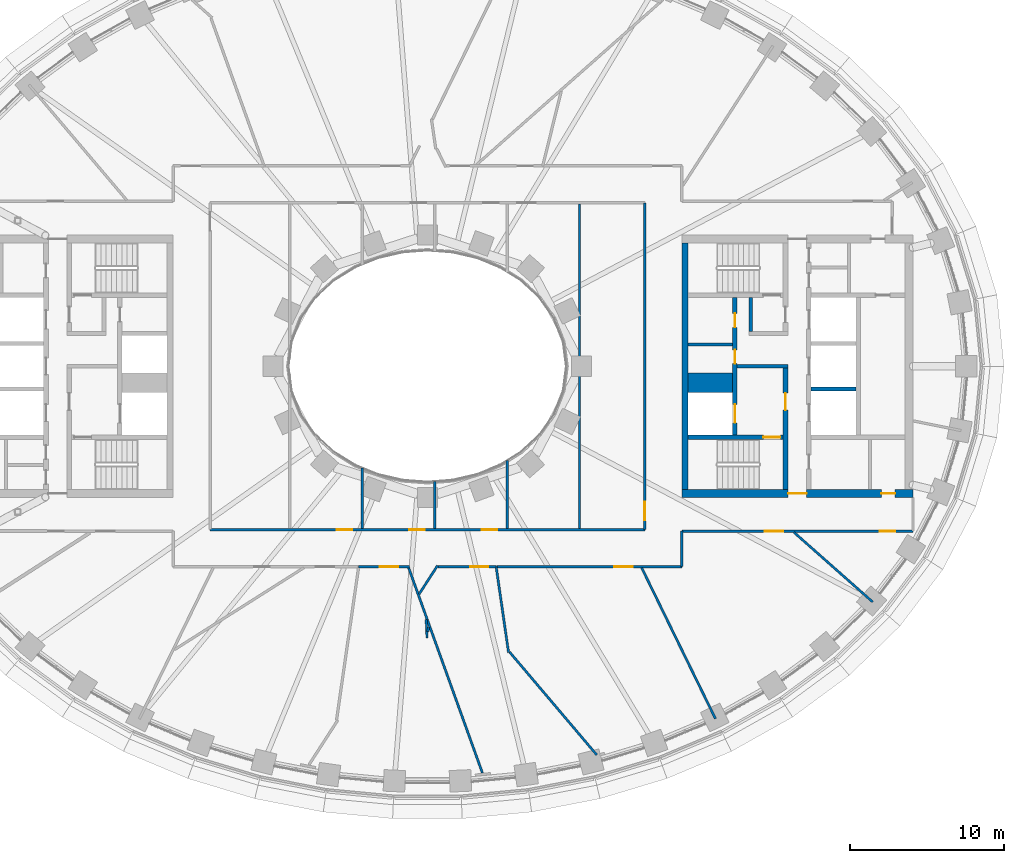
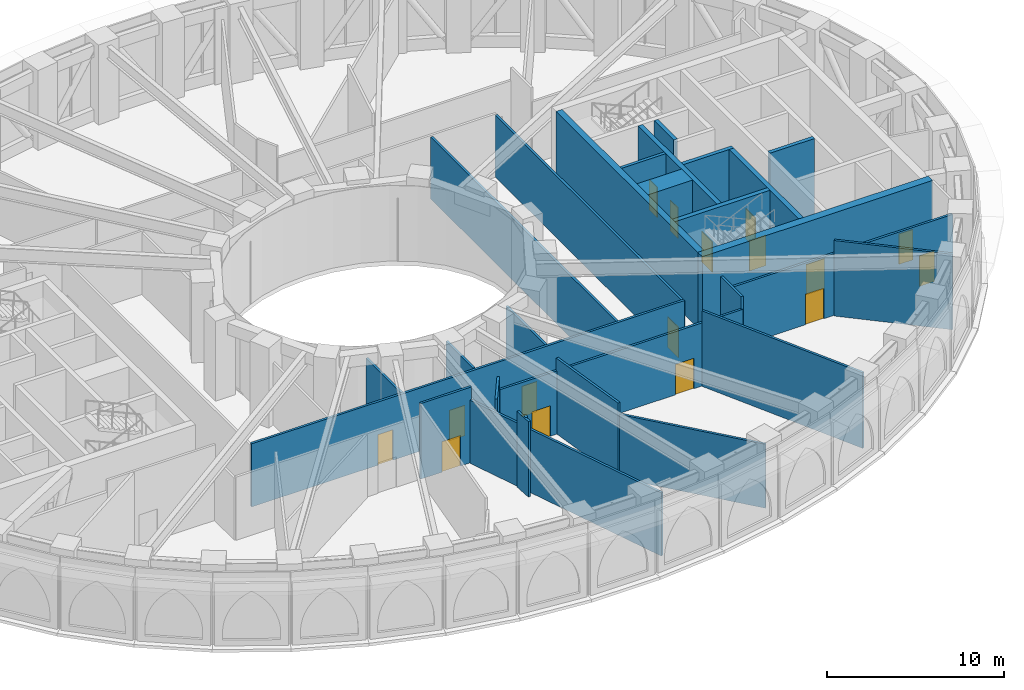
# One storey, part 7 of 25: 29 walls, 16 doors, 16 openings.
"""IFC4 building model written with IfcOpenShell, lengths in metres."""

from ifc_helpers import new_model, si_unit, direction, frame, frame_2d, origin, place, context, subcontext, project, spatial, rectangle, extrude, material, layer, layer_set, type_object, element, fill, save


model = new_model("IFC4")

# Units and contexts
model_context = context("Model", 3, precision=1e-05, world=origin(), true_north=direction((0.0, 1.0)))
body_context = subcontext(model_context, "Body", "Model", "MODEL_VIEW")
ifc_project = project(units=[si_unit("LENGTHUNIT", "METRE"), si_unit("AREAUNIT", "SQUARE_METRE"), si_unit("VOLUMEUNIT", "CUBIC_METRE"), si_unit("PLANEANGLEUNIT", "RADIAN"), si_unit("MASSUNIT", "GRAM", prefix="KILO")], contexts=[model_context])

# Site, building, storey
site_placement = place(None, origin())
site = spatial("IfcSite", under=ifc_project, at=site_placement, CompositionType="ELEMENT")
building_placement = place(site_placement, origin())
building = spatial("IfcBuilding", under=site, at=building_placement, Name="Noorbagh Ring Tower", CompositionType="ELEMENT")
storey_placement = place(building_placement, frame((0.0, 0.0, 82.5)))
storey = spatial("IfcBuildingStorey", under=building, at=storey_placement, Name="L18", CompositionType="ELEMENT", Elevation=82.5)

# Wall, openings, doors
ifc_material_1 = material(Name="Gypsum board on steel studs", Category="steel")
ifc_layer_1 = layer(ifc_material_1, 0.14990234375)
ifc_layer_set_1 = layer_set([ifc_layer_1], Name="Gypsum board on steel studs")
wall_type_1 = type_object("IfcWallType", Name="COMPARTMENT PARTITION 150 EI 60", PredefinedType="PARTITIONING", material=ifc_layer_set_1)
wall_1_placement = place(storey_placement, frame((-14.10009765625, -10.60009765625, 0.0), z_axis=(0.0, 0.0, 1.0), x_axis=(1.0, 0.0, 0.0)))
wall_1 = element("IfcWall", 1, at=wall_1_placement, inside=storey, type_object=wall_type_1, Name="L18/wall/P17", PredefinedType="PARTITIONING", context=body_context, shape_type="SweptSolid", body=[
    extrude(rectangle(XDim=28.2001953125, YDim=0.14990234375, at=frame_2d((14.10009765625, 0.0))), origin(), (0.0, 0.0, 1.0), 4.35009765625),
])
opening_1_placement = place(wall_1_placement, frame((8.219970703125, 0.0, 0.0)))
opening_1 = element("IfcOpeningElement", 2, at=opening_1_placement, cuts=wall_1, Name="Opening D6", PredefinedType="OPENING", context=body_context, shape_type="SweptSolid", body=[
    extrude(rectangle(XDim=1.0, YDim=2.10009765625, at=frame_2d((0.5, 1.050048828125))), frame((0.0, 0.0849609375, 0.0), z_axis=(0.0, -1.0, 0.0), x_axis=(1.0, 0.0, 0.0)), (0.0, 0.0, 1.0), 0.169921875),
])
opening_2_placement = place(wall_1_placement, frame((12.919921875, 0.0, 0.0)))
opening_2 = element("IfcOpeningElement", 3, at=opening_2_placement, cuts=wall_1, Name="Opening D6", PredefinedType="OPENING", context=body_context, shape_type="SweptSolid", body=[
    extrude(rectangle(XDim=1.0, YDim=2.10009765625, at=frame_2d((0.5, 1.050048828125))), frame((0.0, 0.0849609375, 0.0), z_axis=(0.0, -1.0, 0.0), x_axis=(1.0, 0.0, 0.0)), (0.0, 0.0, 1.0), 0.169921875),
])
opening_3_placement = place(wall_1_placement, frame((17.6201171875, 0.0, 0.0)))
opening_3 = element("IfcOpeningElement", 4, at=opening_3_placement, cuts=wall_1, Name="Opening D6", PredefinedType="OPENING", context=body_context, shape_type="SweptSolid", body=[
    extrude(rectangle(XDim=1.0, YDim=2.10009765625, at=frame_2d((0.5, 1.050048828125))), frame((0.0, 0.0849609375, 0.0), z_axis=(0.0, -1.0, 0.0), x_axis=(1.0, 0.0, 0.0)), (0.0, 0.0, 1.0), 0.169921875),
])
ifc_material_2 = material(Name="Timber, painted", Category="wood")
door_type_1 = type_object("IfcDoorType", Name="DOOR 1000 X 2100 FD60", OperationType="SINGLE_SWING_LEFT", PredefinedType="DOOR", material=ifc_material_2)
door_1_placement = place(opening_1_placement, origin())
door_1 = element("IfcDoor", 5, at=door_1_placement, inside=storey, type_object=door_type_1, Name="L18-D19", OperationType="SINGLE_SWING_LEFT", OverallHeight=2.10009765625, OverallWidth=1.0, PredefinedType="DOOR", context=body_context, shape_type="SweptSolid", body=[
    extrude(rectangle(XDim=1.0, YDim=2.10009765625, at=frame_2d((0.5, 1.050048828125))), frame((0.0, 0.02490234375, 0.0), z_axis=(0.0, -1.0, 0.0), x_axis=(1.0, 0.0, 0.0)), (0.0, 0.0, 1.0), 0.050048828125),
])
fill(opening_1, door_1)
door_2_placement = place(opening_2_placement, origin())
door_2 = element("IfcDoor", 6, at=door_2_placement, inside=storey, type_object=door_type_1, Name="L18-D21", OperationType="SINGLE_SWING_LEFT", OverallHeight=2.10009765625, OverallWidth=1.0, PredefinedType="DOOR", context=body_context, shape_type="SweptSolid", body=[
    extrude(rectangle(XDim=1.0, YDim=2.10009765625, at=frame_2d((0.5, 1.050048828125))), frame((0.0, 0.02490234375, 0.0), z_axis=(0.0, -1.0, 0.0), x_axis=(1.0, 0.0, 0.0)), (0.0, 0.0, 1.0), 0.050048828125),
])
fill(opening_2, door_2)
door_3_placement = place(opening_3_placement, origin())
door_3 = element("IfcDoor", 7, at=door_3_placement, inside=storey, type_object=door_type_1, Name="L18-D23", OperationType="SINGLE_SWING_LEFT", OverallHeight=2.10009765625, OverallWidth=1.0, PredefinedType="DOOR", context=body_context, shape_type="SweptSolid", body=[
    extrude(rectangle(XDim=1.0, YDim=2.10009765625, at=frame_2d((0.5, 1.050048828125))), frame((0.0, 0.02490234375, 0.0), z_axis=(0.0, -1.0, 0.0), x_axis=(1.0, 0.0, 0.0)), (0.0, 0.0, 1.0), 0.050048828125),
])
fill(opening_3, door_3)

# Wall, opening, door
wall_2_placement = place(storey_placement, frame((-4.458984375, -13.0, 0.0), z_axis=(0.0, 0.0, 1.0), x_axis=(1.0, 0.0, 0.0)))
wall_2 = element("IfcWall", 8, at=wall_2_placement, inside=storey, type_object=wall_type_1, Name="L18/wall/P25", PredefinedType="PARTITIONING", context=body_context, shape_type="SweptSolid", body=[
    extrude(rectangle(XDim=3.29296875, YDim=0.14990234375, at=frame_2d((1.646484375, 0.0))), origin(), (0.0, 0.0, 1.0), 5.199951171875),
])
opening_4_placement = place(wall_2_placement, frame((1.3798828125, 0.0, 0.0)))
opening_4 = element("IfcOpeningElement", 9, at=opening_4_placement, cuts=wall_2, Name="Opening D7", PredefinedType="OPENING", context=body_context, shape_type="SweptSolid", body=[
    extrude(rectangle(XDim=1.199951171875, YDim=2.10009765625, at=frame_2d((0.60009765625, 1.050048828125))), frame((0.0, 0.0849609375, 0.0), z_axis=(0.0, -1.0, 0.0), x_axis=(1.0, 0.0, 0.0)), (0.0, 0.0, 1.0), 0.169921875),
])
ifc_material_3 = material(Name="Timber, painted", Category="wood")
door_type_2 = type_object("IfcDoorType", Name="DOOR 1200 X 2100 FD60", OperationType="SINGLE_SWING_LEFT", PredefinedType="DOOR", material=ifc_material_3)
door_4_placement = place(opening_4_placement, origin())
door_4 = element("IfcDoor", 10, at=door_4_placement, inside=storey, type_object=door_type_2, Name="L18-D08", OperationType="SINGLE_SWING_RIGHT", OverallHeight=2.10009765625, OverallWidth=1.199951171875, PredefinedType="DOOR", context=body_context, shape_type="SweptSolid", body=[
    extrude(rectangle(XDim=1.199951171875, YDim=2.10009765625, at=frame_2d((0.60009765625, 1.050048828125))), frame((0.0, 0.02490234375, 0.0), z_axis=(0.0, -1.0, 0.0), x_axis=(1.0, 0.0, 0.0)), (0.0, 0.0, 1.0), 0.050048828125),
])
fill(opening_4, door_4)

# Walls
wall_3_placement = place(storey_placement, frame((-4.22998046875, -10.52490234375, 0.0), z_axis=(0.0, 0.0, 1.0), x_axis=(0.0, 1.0, 0.0)))
element("IfcWall", 11, at=wall_3_placement, inside=storey, type_object=wall_type_1, Name="L18/wall/P26", PredefinedType="PARTITIONING", context=body_context, shape_type="SweptSolid", body=[
    extrude(rectangle(XDim=3.932861328125, YDim=0.14990234375, at=frame_2d((1.96630859375, 0.0))), origin(), (0.0, 0.0, 1.0), 4.35009765625),
])
wall_4_placement = place(storey_placement, frame((-1.218017578125, -13.0791015625, 0.0), z_axis=(0.0, 0.0, 1.0), x_axis=(0.338466321872, -0.940978506109, 0.0)))
element("IfcWall", 12, at=wall_4_placement, inside=storey, type_object=wall_type_1, Name="L18/wall/P28", PredefinedType="PARTITIONING", context=body_context, shape_type="SweptSolid", body=[
    extrude(rectangle(XDim=14.13916015625, YDim=0.14990234375, at=frame_2d((7.069580078125, 0.0))), origin(), (0.0, 0.0, 1.0), 4.35009765625),
])
wall_5_placement = place(storey_placement, frame((-0.0810546875, -16.427001953125, 0.0), z_axis=(0.0, 0.0, 1.0), x_axis=(0.047967320325, -0.998848905581, 0.0)))
element("IfcWall", 13, at=wall_5_placement, inside=storey, type_object=wall_type_1, Name="L18/wall/P30", PredefinedType="PARTITIONING", context=body_context, shape_type="SweptSolid", body=[
    extrude(rectangle(XDim=1.21142578125, YDim=0.14990234375, at=frame_2d((0.605712890625, 0.0))), origin(), (0.0, 0.0, 1.0), 5.199951171875),
])
wall_6_placement = place(storey_placement, frame((-0.541015625, -14.785888671875, 0.0), z_axis=(0.0, 0.0, 1.0), x_axis=(0.542249897207, 0.840217262962, 0.0)))
element("IfcWall", 14, at=wall_6_placement, inside=storey, type_object=wall_type_1, Name="L18/wall/P31", PredefinedType="PARTITIONING", context=body_context, shape_type="SweptSolid", body=[
    extrude(rectangle(XDim=2.214599609375, YDim=0.14990234375, at=frame_2d((1.107421875, 0.0))), origin(), (0.0, 0.0, 1.0), 5.199951171875),
])
wall_7_placement = place(storey_placement, frame((0.01904296875, -17.215087890625, 0.0), z_axis=(0.0, 0.0, 1.0), x_axis=(0.241940521765, 0.970291082061, 0.0)))
element("IfcWall", 15, at=wall_7_placement, inside=storey, type_object=wall_type_1, Name="L18/wall/P32", PredefinedType="PARTITIONING", context=body_context, shape_type="SweptSolid", body=[
    extrude(rectangle(XDim=0.28955078125, YDim=0.14990234375, at=frame_2d((0.144775390625, 0.0))), origin(), (0.0, 0.0, 1.0), 5.199951171875),
])
wall_8_placement = place(storey_placement, frame((0.469970703125, -10.52490234375, 0.0), z_axis=(0.0, 0.0, 1.0), x_axis=(0.0, 1.0, 0.0)))
element("IfcWall", 16, at=wall_8_placement, inside=storey, type_object=wall_type_1, Name="L18/wall/P35", PredefinedType="PARTITIONING", context=body_context, shape_type="SweptSolid", body=[
    extrude(rectangle(XDim=3.055908203125, YDim=0.14990234375, at=frame_2d((1.52783203125, 0.0))), origin(), (0.0, 0.0, 1.0), 4.39990234375),
])

# Wall, opening, door
wall_9_placement = place(storey_placement, frame((0.700927734375, -13.0, 0.0), z_axis=(0.0, 0.0, 1.0), x_axis=(1.0, 0.0, 0.0)))
wall_9 = element("IfcWall", 17, at=wall_9_placement, inside=storey, type_object=wall_type_1, Name="L18/wall/P38", PredefinedType="PARTITIONING", context=body_context, shape_type="SweptSolid", body=[
    extrude(rectangle(XDim=3.758056640625, YDim=0.14990234375, at=frame_2d((1.87890625, 0.0))), origin(), (0.0, 0.0, 1.0), 4.35009765625),
])
opening_5_placement = place(wall_9_placement, frame((2.06103515625, 0.0, 0.0)))
opening_5 = element("IfcOpeningElement", 18, at=opening_5_placement, cuts=wall_9, Name="Opening D7", PredefinedType="OPENING", context=body_context, shape_type="SweptSolid", body=[
    extrude(rectangle(XDim=1.199951171875, YDim=2.10009765625, at=frame_2d((0.60009765625, 1.050048828125))), frame((0.0, 0.0849609375, 0.0), z_axis=(0.0, -1.0, 0.0), x_axis=(1.0, 0.0, 0.0)), (0.0, 0.0, 1.0), 0.169921875),
])
door_5_placement = place(opening_5_placement, origin())
door_5 = element("IfcDoor", 19, at=door_5_placement, inside=storey, type_object=door_type_2, Name="L18-D10", OperationType="SINGLE_SWING_RIGHT", OverallHeight=2.10009765625, OverallWidth=1.199951171875, PredefinedType="DOOR", context=body_context, shape_type="SweptSolid", body=[
    extrude(rectangle(XDim=1.199951171875, YDim=2.10009765625, at=frame_2d((0.60009765625, 1.050048828125))), frame((0.0, 0.02490234375, 0.0), z_axis=(0.0, -1.0, 0.0), x_axis=(1.0, 0.0, 0.0)), (0.0, 0.0, 1.0), 0.050048828125),
])
fill(opening_5, door_5)

# Wall
wall_10_placement = place(storey_placement, frame((4.458984375, -13.00390625, 0.0), z_axis=(0.0, 0.0, 1.0), x_axis=(0.143040939826, -0.989716772382, 0.0)))
element("IfcWall", 20, at=wall_10_placement, inside=storey, type_object=wall_type_1, Name="L18/wall/P41", PredefinedType="PARTITIONING", context=body_context, shape_type="SweptSolid", body=[
    extrude(rectangle(XDim=5.634033203125, YDim=0.14990234375, at=frame_2d((2.81689453125, 0.0))), origin(), (0.0, 0.0, 1.0), 5.199951171875),
])

# Wall, opening, door
wall_11_placement = place(storey_placement, frame((4.47900390625, -13.0, 0.0), z_axis=(0.0, 0.0, 1.0), x_axis=(1.0, 0.0, 0.0)))
wall_11 = element("IfcWall", 21, at=wall_11_placement, inside=storey, type_object=wall_type_1, Name="L18/wall/P42", PredefinedType="PARTITIONING", context=body_context, shape_type="SweptSolid", body=[
    extrude(rectangle(XDim=12.02099609375, YDim=0.14990234375, at=frame_2d((6.010498046875, 0.0))), origin(), (0.0, 0.0, 1.0), 4.35009765625),
])
opening_6_placement = place(wall_11_placement, frame((7.6298828125, 0.0, 0.0)))
opening_6 = element("IfcOpeningElement", 22, at=opening_6_placement, cuts=wall_11, Name="Opening D7", PredefinedType="OPENING", context=body_context, shape_type="SweptSolid", body=[
    extrude(rectangle(XDim=1.199951171875, YDim=2.10009765625, at=frame_2d((0.60009765625, 1.050048828125))), frame((0.0, 0.0849609375, 0.0), z_axis=(0.0, -1.0, 0.0), x_axis=(1.0, 0.0, 0.0)), (0.0, 0.0, 1.0), 0.169921875),
])
door_6_placement = place(opening_6_placement, origin())
door_6 = element("IfcDoor", 23, at=door_6_placement, inside=storey, type_object=door_type_2, Name="L18-D12", OperationType="SINGLE_SWING_RIGHT", OverallHeight=2.10009765625, OverallWidth=1.199951171875, PredefinedType="DOOR", context=body_context, shape_type="SweptSolid", body=[
    extrude(rectangle(XDim=1.199951171875, YDim=2.10009765625, at=frame_2d((0.60009765625, 1.050048828125))), frame((0.0, 0.02490234375, 0.0), z_axis=(0.0, -1.0, 0.0), x_axis=(1.0, 0.0, 0.0)), (0.0, 0.0, 1.0), 0.050048828125),
])
fill(opening_6, door_6)

# Walls
wall_12_placement = place(storey_placement, frame((5.169921875, -10.52490234375, 0.0), z_axis=(0.0, 0.0, 1.0), x_axis=(0.0, 1.0, 0.0)))
element("IfcWall", 24, at=wall_12_placement, inside=storey, type_object=wall_type_1, Name="L18/wall/P43", PredefinedType="PARTITIONING", context=body_context, shape_type="SweptSolid", body=[
    extrude(rectangle(XDim=4.419921875, YDim=0.14990234375, at=frame_2d((2.2099609375, 0.0))), origin(), (0.0, 0.0, 1.0), 4.35009765625),
])
wall_13_placement = place(storey_placement, frame((5.3359375, -18.548095703125, 0.0), z_axis=(0.0, 0.0, 1.0), x_axis=(0.64652969132, -0.7628888243, 0.0)))
element("IfcWall", 25, at=wall_13_placement, inside=storey, type_object=wall_type_1, Name="L18/wall/P45", PredefinedType="PARTITIONING", context=body_context, shape_type="SweptSolid", body=[
    extrude(rectangle(XDim=8.734619140625, YDim=0.14990234375, at=frame_2d((4.3671875, 0.0))), origin(), (0.0, 0.0, 1.0), 4.39990234375),
])
wall_14_placement = place(storey_placement, frame((9.8701171875, -10.52490234375, 0.0), z_axis=(0.0, 0.0, 1.0), x_axis=(0.0, 1.0, 0.0)))
element("IfcWall", 26, at=wall_14_placement, inside=storey, type_object=wall_type_1, Name="L18/wall/P48", PredefinedType="PARTITIONING", context=body_context, shape_type="SweptSolid", body=[
    extrude(rectangle(XDim=21.0498046875, YDim=0.14990234375, at=frame_2d((10.52490234375, 0.0))), origin(), (0.0, 0.0, 1.0), 4.25),
])
wall_15_placement = place(storey_placement, frame((13.89892578125, -13.074951171875, 0.0), z_axis=(0.0, 0.0, 1.0), x_axis=(0.439201300969, -0.898388678261, 0.0)))
element("IfcWall", 27, at=wall_15_placement, inside=storey, type_object=wall_type_1, Name="L18/wall/P49", PredefinedType="PARTITIONING", context=body_context, shape_type="SweptSolid", body=[
    extrude(rectangle(XDim=10.908447265625, YDim=0.14990234375, at=frame_2d((5.4541015625, 0.0))), origin(), (0.0, 0.0, 1.0), 5.199951171875),
])

# Wall, opening, door
wall_16_placement = place(storey_placement, frame((14.10009765625, -10.60009765625, 0.0), z_axis=(0.0, 0.0, 1.0), x_axis=(0.0, 1.0, 0.0)))
wall_16 = element("IfcWall", 28, at=wall_16_placement, inside=storey, type_object=wall_type_1, Name="L18/wall/P50", PredefinedType="PARTITIONING", context=body_context, shape_type="SweptSolid", body=[
    extrude(rectangle(XDim=21.2001953125, YDim=0.14990234375, at=frame_2d((10.60009765625, 0.0))), origin(), (0.0, 0.0, 1.0), 4.25),
])
opening_7_placement = place(wall_16_placement, frame((0.60009765625, 0.0, 0.0)))
opening_7 = element("IfcOpeningElement", 29, at=opening_7_placement, cuts=wall_16, Name="Opening D7", PredefinedType="OPENING", context=body_context, shape_type="SweptSolid", body=[
    extrude(rectangle(XDim=1.199951171875, YDim=2.10009765625, at=frame_2d((0.60009765625, 1.050048828125))), frame((0.0, 0.0849609375, 0.0), z_axis=(0.0, -1.0, 0.0), x_axis=(1.0, 0.0, 0.0)), (0.0, 0.0, 1.0), 0.169921875),
])
door_7_placement = place(opening_7_placement, origin())
door_7 = element("IfcDoor", 30, at=door_7_placement, inside=storey, type_object=door_type_2, Name="L18-D26", OperationType="SINGLE_SWING_RIGHT", OverallHeight=2.10009765625, OverallWidth=1.199951171875, PredefinedType="DOOR", context=body_context, shape_type="SweptSolid", body=[
    extrude(rectangle(XDim=1.199951171875, YDim=2.10009765625, at=frame_2d((0.60009765625, 1.050048828125))), frame((0.0, 0.02490234375, 0.0), z_axis=(0.0, -1.0, 0.0), x_axis=(1.0, 0.0, 0.0)), (0.0, 0.0, 1.0), 0.050048828125),
])
fill(opening_7, door_7)

# Wall
wall_17_placement = place(storey_placement, frame((16.5, -13.0, 0.0), z_axis=(0.0, 0.0, 1.0), x_axis=(0.0, 1.0, 0.0)))
element("IfcWall", 31, at=wall_17_placement, inside=storey, type_object=wall_type_1, Name="L18/wall/P51", PredefinedType="PARTITIONING", context=body_context, shape_type="SweptSolid", body=[
    extrude(rectangle(XDim=2.300048828125, YDim=0.14990234375, at=frame_2d((1.14990234375, 0.0))), origin(), (0.0, 0.0, 1.0), 5.199951171875),
])

# Wall, openings, doors
wall_18_placement = place(storey_placement, frame((16.5, -10.699951171875, 0.0), z_axis=(0.0, 0.0, 1.0), x_axis=(1.0, 0.0, 0.0)))
wall_18 = element("IfcWall", 32, at=wall_18_placement, inside=storey, type_object=wall_type_1, Name="L18/wall/P52", PredefinedType="PARTITIONING", context=body_context, shape_type="SweptSolid", body=[
    extrude(rectangle(XDim=15.0, YDim=0.14990234375, at=frame_2d((7.5, 0.0))), origin(), (0.0, 0.0, 1.0), 4.25),
])
opening_8_placement = place(wall_18_placement, frame((5.39990234375, 0.0, 0.0)))
opening_8 = element("IfcOpeningElement", 33, at=opening_8_placement, cuts=wall_18, Name="Opening D7", PredefinedType="OPENING", context=body_context, shape_type="SweptSolid", body=[
    extrude(rectangle(XDim=1.199951171875, YDim=2.10009765625, at=frame_2d((0.60009765625, 1.050048828125))), frame((0.0, 0.0849609375, 0.0), z_axis=(0.0, -1.0, 0.0), x_axis=(1.0, 0.0, 0.0)), (0.0, 0.0, 1.0), 0.169921875),
])
opening_9_placement = place(wall_18_placement, frame((12.846923828125, 0.0, 0.0)))
opening_9 = element("IfcOpeningElement", 34, at=opening_9_placement, cuts=wall_18, Name="Opening D6", PredefinedType="OPENING", context=body_context, shape_type="SweptSolid", body=[
    extrude(rectangle(XDim=1.0, YDim=2.10009765625, at=frame_2d((0.5, 1.050048828125))), frame((0.0, 0.0849609375, 0.0), z_axis=(0.0, -1.0, 0.0), x_axis=(1.0, 0.0, 0.0)), (0.0, 0.0, 1.0), 0.169921875),
])
door_8_placement = place(opening_9_placement, origin())
door_8 = element("IfcDoor", 35, at=door_8_placement, inside=storey, type_object=door_type_1, Name="L18-D16", OperationType="SINGLE_SWING_RIGHT", OverallHeight=2.10009765625, OverallWidth=1.0, PredefinedType="DOOR", context=body_context, shape_type="SweptSolid", body=[
    extrude(rectangle(XDim=1.0, YDim=2.10009765625, at=frame_2d((0.5, 1.050048828125))), frame((0.0, 0.02490234375, 0.0), z_axis=(0.0, -1.0, 0.0), x_axis=(1.0, 0.0, 0.0)), (0.0, 0.0, 1.0), 0.050048828125),
])
fill(opening_9, door_8)
door_9_placement = place(opening_8_placement, origin())
door_9 = element("IfcDoor", 36, at=door_9_placement, inside=storey, type_object=door_type_2, Name="L18-D14", OperationType="SINGLE_SWING_RIGHT", OverallHeight=2.10009765625, OverallWidth=1.199951171875, PredefinedType="DOOR", context=body_context, shape_type="SweptSolid", body=[
    extrude(rectangle(XDim=1.199951171875, YDim=2.10009765625, at=frame_2d((0.60009765625, 1.050048828125))), frame((0.0, 0.02490234375, 0.0), z_axis=(0.0, -1.0, 0.0), x_axis=(1.0, 0.0, 0.0)), (0.0, 0.0, 1.0), 0.050048828125),
])
fill(opening_8, door_9)

# Walls
wall_19_placement = place(storey_placement, frame((23.784912109375, -10.778076171875, 0.0), z_axis=(0.0, 0.0, 1.0), x_axis=(0.748975381127, -0.662597825582, 0.0)))
element("IfcWall", 37, at=wall_19_placement, inside=storey, type_object=wall_type_1, Name="L18/wall/P56", PredefinedType="PARTITIONING", context=body_context, shape_type="SweptSolid", body=[
    extrude(rectangle(XDim=6.820068359375, YDim=0.14990234375, at=frame_2d((3.41015625, 0.0))), origin(), (0.0, 0.0, 1.0), 5.199951171875),
])
ifc_material_4 = material(Name="Gypsum board on steel studs", Category="steel")
ifc_layer_2 = layer(ifc_material_4, 0.199951171875)
ifc_layer_set_2 = layer_set([ifc_layer_2], Name="Gypsum board on steel studs")
wall_type_2 = type_object("IfcWallType", Name="CORE-PARTITION-200", PredefinedType="PARTITIONING", material=ifc_layer_set_2)
wall_20_placement = place(storey_placement, frame((16.89990234375, 1.39990234375, 0.0), z_axis=(0.0, 0.0, 1.0), x_axis=(1.0, 0.0, 0.0)))
element("IfcWall", 38, at=wall_20_placement, inside=storey, type_object=wall_type_2, Name="Core partition E", PredefinedType="PARTITIONING", context=body_context, shape_type="SweptSolid", body=[
    extrude(rectangle(XDim=2.900146484375, YDim=0.199951171875, at=frame_2d((1.4501953125, 0.0))), origin(), (0.0, 0.0, 1.0), 5.199951171875),
])
ifc_material_5 = material(Name="Concrete C70/85", Category="concrete")
ifc_layer_3 = layer(ifc_material_5, 1.25)
ifc_layer_set_3 = layer_set([ifc_layer_3], Name="Concrete C70/85")
wall_type_3 = type_object("IfcWallType", Name="CORE-WALL-1250-C70-85-EI120", PredefinedType="SHEAR", material=ifc_layer_set_3)
wall_21_placement = place(storey_placement, frame((16.89990234375, -1.074951171875, 0.0), z_axis=(0.0, 0.0, 1.0), x_axis=(1.0, 0.0, 0.0)))
element("IfcWall", 39, at=wall_21_placement, inside=storey, type_object=wall_type_3, Name="Core wall E", PredefinedType="SHEAR", context=body_context, shape_type="SweptSolid", body=[
    extrude(rectangle(XDim=2.900146484375, YDim=1.25, at=frame_2d((1.4501953125, 0.0))), origin(), (0.0, 0.0, 1.0), 5.199951171875),
])
ifc_material_6 = material(Name="Concrete C70/85", Category="concrete")
ifc_layer_4 = layer(ifc_material_6, 0.25)
ifc_layer_set_4 = layer_set([ifc_layer_4], Name="Concrete C70/85")
wall_type_4 = type_object("IfcWallType", Name="CORE-WALL-250-C70-85-EI120", PredefinedType="SHEAR", material=ifc_layer_set_4)
wall_22_placement = place(storey_placement, frame((24.89990234375, -1.47509765625, 0.0), z_axis=(0.0, 0.0, 1.0), x_axis=(1.0, 0.0, 0.0)))
element("IfcWall", 40, at=wall_22_placement, inside=storey, type_object=wall_type_4, Name="Core wall E", PredefinedType="SHEAR", context=body_context, shape_type="SweptSolid", body=[
    extrude(rectangle(XDim=2.900146484375, YDim=0.25, at=frame_2d((1.4501953125, 0.0))), origin(), (0.0, 0.0, 1.0), 5.199951171875),
])
ifc_material_7 = material(Name="Concrete C70/85", Category="concrete")
ifc_layer_5 = layer(ifc_material_7, 0.25)
ifc_layer_set_5 = layer_set([ifc_layer_5], Name="Concrete C70/85")
wall_type_5 = type_object("IfcWallType", Name="CORE-WALL-250-C70-85-EI240", PredefinedType="SHEAR", material=ifc_layer_set_5)
wall_23_placement = place(storey_placement, frame((20.10009765625, 0.0, 0.0), z_axis=(0.0, 0.0, 1.0), x_axis=(1.0, 0.0, 0.0)))
element("IfcWall", 41, at=wall_23_placement, inside=storey, type_object=wall_type_5, Name="Core wall E", PredefinedType="SHEAR", context=body_context, shape_type="SweptSolid", body=[
    extrude(rectangle(XDim=3.27978515625, YDim=0.25, at=frame_2d((1.639892578125, 0.0))), origin(), (0.0, 0.0, 1.0), 5.199951171875),
])
wall_24_placement = place(storey_placement, frame((20.97509765625, 2.25, 0.0), z_axis=(0.0, 0.0, 1.0), x_axis=(0.0, 1.0, 0.0)))
element("IfcWall", 42, at=wall_24_placement, inside=storey, type_object=wall_type_5, Name="Core wall E", PredefinedType="SHEAR", context=body_context, shape_type="SweptSolid", body=[
    extrude(rectangle(XDim=2.199951171875, YDim=0.25, at=frame_2d((1.10009765625, 0.0))), origin(), (0.0, 0.0, 1.0), 5.199951171875),
])

# Wall, openings, doors
ifc_material_8 = material(Name="Concrete C70/85", Category="concrete")
ifc_layer_6 = layer(ifc_material_8, 0.300048828125)
ifc_layer_set_6 = layer_set([ifc_layer_6], Name="Concrete C70/85")
wall_type_6 = type_object("IfcWallType", Name="CORE-WALL-300-C70-85-EI120", PredefinedType="SHEAR", material=ifc_layer_set_6)
wall_25_placement = place(storey_placement, frame((19.949951171875, -4.449951171875, 0.0), z_axis=(0.0, 0.0, 1.0), x_axis=(0.0, 1.0, 0.0)))
wall_25 = element("IfcWall", 43, at=wall_25_placement, inside=storey, type_object=wall_type_6, Name="Core wall E", PredefinedType="SHEAR", context=body_context, shape_type="SweptSolid", body=[
    extrude(rectangle(XDim=8.89990234375, YDim=0.300048828125, at=frame_2d((4.449951171875, 0.0))), origin(), (0.0, 0.0, 1.0), 5.199951171875),
])
opening_10_placement = place(wall_25_placement, frame((0.77490234375, 0.0, 0.0)))
opening_10 = element("IfcOpeningElement", 44, at=opening_10_placement, cuts=wall_25, Name="Opening L18-CE01", PredefinedType="OPENING", context=body_context, shape_type="SweptSolid", body=[
    extrude(rectangle(XDim=1.199951171875, YDim=2.10009765625, at=frame_2d((0.60009765625, 1.050048828125))), frame((0.0, 0.16015625, 0.0), z_axis=(0.0, -1.0, 0.0), x_axis=(1.0, 0.0, 0.0)), (0.0, 0.0, 1.0), 0.320068359375),
])
opening_11_placement = place(wall_25_placement, frame((4.6201171875, 0.0, 0.0)))
opening_11 = element("IfcOpeningElement", 45, at=opening_11_placement, cuts=wall_25, Name="Opening L18-CE11", PredefinedType="OPENING", context=body_context, shape_type="SweptSolid", body=[
    extrude(rectangle(XDim=0.89990234375, YDim=2.10009765625, at=frame_2d((0.449951171875, 1.050048828125))), frame((0.0, 0.16015625, 0.0), z_axis=(0.0, -1.0, 0.0), x_axis=(1.0, 0.0, 0.0)), (0.0, 0.0, 1.0), 0.320068359375),
])
opening_12_placement = place(wall_25_placement, frame((6.97509765625, 0.0, 0.0)))
opening_12 = element("IfcOpeningElement", 46, at=opening_12_placement, cuts=wall_25, Name="Opening L18-CE12", PredefinedType="OPENING", context=body_context, shape_type="SweptSolid", body=[
    extrude(rectangle(XDim=0.89990234375, YDim=2.10009765625, at=frame_2d((0.449951171875, 1.050048828125))), frame((0.0, 0.16015625, 0.0), z_axis=(0.0, -1.0, 0.0), x_axis=(1.0, 0.0, 0.0)), (0.0, 0.0, 1.0), 0.320068359375),
])
ifc_material_9 = material(Name="Steel door leaf", Category="steel")
door_type_3 = type_object("IfcDoorType", Name="CORE-DOOR-DROOM", OperationType="SINGLE_SWING_LEFT", PredefinedType="DOOR", material=ifc_material_9)
door_10_placement = place(opening_11_placement, origin())
door_10 = element("IfcDoor", 47, at=door_10_placement, inside=storey, type_object=door_type_3, Name="Core room door L18-CE11", OperationType="SINGLE_SWING_LEFT", OverallHeight=2.10009765625, OverallWidth=0.89990234375, PredefinedType="DOOR", context=body_context, shape_type="SweptSolid", body=[
    extrude(rectangle(XDim=0.89990234375, YDim=2.10009765625, at=frame_2d((0.449951171875, 1.050048828125))), frame((0.0, 0.02490234375, 0.0), z_axis=(0.0, -1.0, 0.0), x_axis=(1.0, 0.0, 0.0)), (0.0, 0.0, 1.0), 0.050048828125),
])
fill(opening_11, door_10)
door_11_placement = place(opening_12_placement, origin())
door_11 = element("IfcDoor", 48, at=door_11_placement, inside=storey, type_object=door_type_3, Name="Core room door L18-CE12", OperationType="SINGLE_SWING_RIGHT", OverallHeight=2.10009765625, OverallWidth=0.89990234375, PredefinedType="DOOR", context=body_context, shape_type="SweptSolid", body=[
    extrude(rectangle(XDim=0.89990234375, YDim=2.10009765625, at=frame_2d((0.449951171875, 1.050048828125))), frame((0.0, 0.02490234375, 0.0), z_axis=(0.0, -1.0, 0.0), x_axis=(1.0, 0.0, 0.0)), (0.0, 0.0, 1.0), 0.050048828125),
])
fill(opening_12, door_11)
ifc_material_10 = material(Name="Steel door leaf", Category="steel")
door_type_4 = type_object("IfcDoorType", Name="CORE-DOOR-LDW", OperationType="DOUBLE_DOOR_SLIDING", PredefinedType="DOOR", material=ifc_material_10)
door_12_placement = place(opening_10_placement, origin())
door_12 = element("IfcDoor", 49, at=door_12_placement, inside=storey, type_object=door_type_4, Name="Landing door FF2 L18-CE01", OperationType="DOUBLE_DOOR_SLIDING", OverallHeight=2.10009765625, OverallWidth=1.199951171875, PredefinedType="DOOR", context=body_context, shape_type="SweptSolid", body=[
    extrude(rectangle(XDim=1.199951171875, YDim=2.10009765625, at=frame_2d((0.60009765625, 1.050048828125))), frame((0.0, 0.02490234375, 0.0), z_axis=(0.0, -1.0, 0.0), x_axis=(1.0, 0.0, 0.0)), (0.0, 0.0, 1.0), 0.050048828125),
])
fill(opening_10, door_12)

# Wall, opening, door
ifc_material_11 = material(Name="Concrete C70/85", Category="concrete")
ifc_layer_7 = layer(ifc_material_11, 0.300048828125)
ifc_layer_set_7 = layer_set([ifc_layer_7], Name="Concrete C70/85")
wall_type_7 = type_object("IfcWallType", Name="CORE-WALL-300-C70-85-EI240", PredefinedType="SHEAR", material=ifc_layer_set_7)
wall_26_placement = place(storey_placement, frame((23.22998046875, -8.0, 0.0), z_axis=(0.0, 0.0, 1.0), x_axis=(0.0, 1.0, 0.0)))
wall_26 = element("IfcWall", 50, at=wall_26_placement, inside=storey, type_object=wall_type_7, Name="Core wall E", PredefinedType="SHEAR", context=body_context, shape_type="SweptSolid", body=[
    extrude(rectangle(XDim=7.875, YDim=0.300048828125, at=frame_2d((3.9375, 0.0))), origin(), (0.0, 0.0, 1.0), 5.199951171875),
])
opening_13_placement = place(wall_26_placement, frame((5.14990234375, 0.0, 0.0)))
opening_13 = element("IfcOpeningElement", 51, at=opening_13_placement, cuts=wall_26, Name="Opening L18-CE07", PredefinedType="OPENING", context=body_context, shape_type="SweptSolid", body=[
    extrude(rectangle(XDim=1.10009765625, YDim=2.10009765625, at=frame_2d((0.550048828125, 1.050048828125))), frame((0.0, 0.16015625, 0.0), z_axis=(0.0, -1.0, 0.0), x_axis=(1.0, 0.0, 0.0)), (0.0, 0.0, 1.0), 0.320068359375),
])
ifc_material_12 = material(Name="Steel door leaf", Category="steel")
door_type_5 = type_object("IfcDoorType", Name="CORE-DOOR-DFF", OperationType="SINGLE_SWING_LEFT", PredefinedType="DOOR", material=ifc_material_12)
door_13_placement = place(opening_13_placement, origin())
door_13 = element("IfcDoor", 52, at=door_13_placement, inside=storey, type_object=door_type_5, Name="Firefighting lobby door L18-CE07", OperationType="SINGLE_SWING_RIGHT", OverallHeight=2.10009765625, OverallWidth=1.10009765625, PredefinedType="DOOR", context=body_context, shape_type="SweptSolid", body=[
    extrude(rectangle(XDim=1.10009765625, YDim=2.10009765625, at=frame_2d((0.550048828125, 1.050048828125))), frame((0.0, 0.02490234375, 0.0), z_axis=(0.0, -1.0, 0.0), x_axis=(1.0, 0.0, 0.0)), (0.0, 0.0, 1.0), 0.050048828125),
])
fill(opening_13, door_13)

wall_27_placement = place(storey_placement, frame((16.89990234375, -4.60009765625, 0.0), z_axis=(0.0, 0.0, 1.0), x_axis=(1.0, 0.0, 0.0)))
wall_27 = element("IfcWall", 53, at=wall_27_placement, inside=storey, type_object=wall_type_7, Name="Core wall E", PredefinedType="SHEAR", context=body_context, shape_type="SweptSolid", body=[
    extrude(rectangle(XDim=6.18017578125, YDim=0.300048828125, at=frame_2d((3.090087890625, 0.0))), origin(), (0.0, 0.0, 1.0), 5.199951171875),
])
opening_14_placement = place(wall_27_placement, frame((4.89990234375, 0.0, 0.0)))
opening_14 = element("IfcOpeningElement", 54, at=opening_14_placement, cuts=wall_27, Name="Opening L18-CE06", PredefinedType="OPENING", context=body_context, shape_type="SweptSolid", body=[
    extrude(rectangle(XDim=1.10009765625, YDim=2.10009765625, at=frame_2d((0.550048828125, 1.050048828125))), frame((0.0, 0.16015625, 0.0), z_axis=(0.0, -1.0, 0.0), x_axis=(1.0, 0.0, 0.0)), (0.0, 0.0, 1.0), 0.320068359375),
])
ifc_material_13 = material(Name="Steel door leaf", Category="steel")
door_type_6 = type_object("IfcDoorType", Name="CORE-DOOR-DSTAIR", OperationType="SINGLE_SWING_LEFT", PredefinedType="DOOR", material=ifc_material_13)
door_14_placement = place(opening_14_placement, origin())
door_14 = element("IfcDoor", 55, at=door_14_placement, inside=storey, type_object=door_type_6, Name="Stair door ST4 L18-CE06", OperationType="SINGLE_SWING_RIGHT", OverallHeight=2.10009765625, OverallWidth=1.10009765625, PredefinedType="DOOR", context=body_context, shape_type="SweptSolid", body=[
    extrude(rectangle(XDim=1.10009765625, YDim=2.10009765625, at=frame_2d((0.550048828125, 1.050048828125))), frame((0.0, 0.02490234375, 0.0), z_axis=(0.0, -1.0, 0.0), x_axis=(1.0, 0.0, 0.0)), (0.0, 0.0, 1.0), 0.050048828125),
])
fill(opening_14, door_14)

# Wall
ifc_material_14 = material(Name="Concrete C70/85", Category="concrete")
ifc_layer_8 = layer(ifc_material_14, 0.39990234375)
ifc_layer_set_8 = layer_set([ifc_layer_8], Name="Concrete C70/85")
wall_type_8 = type_object("IfcWallType", Name="CORE-WALL-400-C70-85-EI240", PredefinedType="SHEAR", material=ifc_layer_set_8)
wall_28_placement = place(storey_placement, frame((16.699951171875, -8.0, 0.0), z_axis=(0.0, 0.0, 1.0), x_axis=(0.0, 1.0, 0.0)))
element("IfcWall", 56, at=wall_28_placement, inside=storey, type_object=wall_type_8, Name="Core wall E", PredefinedType="SHEAR", context=body_context, shape_type="SweptSolid", body=[
    extrude(rectangle(XDim=16.0, YDim=0.39990234375, at=frame_2d((8.0, 0.0))), origin(), (0.0, 0.0, 1.0), 5.199951171875),
])

# Wall, openings, doors
ifc_material_15 = material(Name="Concrete C70/85", Category="concrete")
ifc_layer_9 = layer(ifc_material_15, 0.5)
ifc_layer_set_9 = layer_set([ifc_layer_9], Name="Concrete C70/85")
wall_type_9 = type_object("IfcWallType", Name="CORE-WALL-500-C70-85-EI240", PredefinedType="SHEAR", material=ifc_layer_set_9)
wall_29_placement = place(storey_placement, frame((16.5, -8.25, 0.0), z_axis=(0.0, 0.0, 1.0), x_axis=(1.0, 0.0, 0.0)))
wall_29 = element("IfcWall", 57, at=wall_29_placement, inside=storey, type_object=wall_type_9, Name="Core wall E", PredefinedType="SHEAR", context=body_context, shape_type="SweptSolid", body=[
    extrude(rectangle(XDim=15.0, YDim=0.5, at=frame_2d((7.5, 0.0))), origin(), (0.0, 0.0, 1.0), 5.199951171875),
])
opening_15_placement = place(wall_29_placement, frame((6.89990234375, 0.0, 0.0)))
opening_15 = element("IfcOpeningElement", 58, at=opening_15_placement, cuts=wall_29, Name="Opening L18-CE10", PredefinedType="OPENING", context=body_context, shape_type="SweptSolid", body=[
    extrude(rectangle(XDim=1.199951171875, YDim=2.10009765625, at=frame_2d((0.60009765625, 1.050048828125))), frame((0.0, 0.260009765625, 0.0), z_axis=(0.0, -1.0, 0.0), x_axis=(1.0, 0.0, 0.0)), (0.0, 0.0, 1.0), 0.52001953125),
])
opening_16_placement = place(wall_29_placement, frame((12.949951171875, 0.0, 0.0)))
opening_16 = element("IfcOpeningElement", 59, at=opening_16_placement, cuts=wall_29, Name="Opening L18-CE17", PredefinedType="OPENING", context=body_context, shape_type="SweptSolid", body=[
    extrude(rectangle(XDim=0.89990234375, YDim=2.10009765625, at=frame_2d((0.449951171875, 1.050048828125))), frame((0.0, 0.260009765625, 0.0), z_axis=(0.0, -1.0, 0.0), x_axis=(1.0, 0.0, 0.0)), (0.0, 0.0, 1.0), 0.52001953125),
])
door_15_placement = place(opening_16_placement, origin())
door_15 = element("IfcDoor", 60, at=door_15_placement, inside=storey, type_object=door_type_3, Name="Core room door L18-CE17", OperationType="SINGLE_SWING_RIGHT", OverallHeight=2.10009765625, OverallWidth=0.89990234375, PredefinedType="DOOR", context=body_context, shape_type="SweptSolid", body=[
    extrude(rectangle(XDim=0.89990234375, YDim=2.10009765625, at=frame_2d((0.449951171875, 1.050048828125))), frame((0.0, 0.02490234375, 0.0), z_axis=(0.0, -1.0, 0.0), x_axis=(1.0, 0.0, 0.0)), (0.0, 0.0, 1.0), 0.050048828125),
])
fill(opening_16, door_15)
ifc_material_16 = material(Name="Steel door leaf", Category="steel")
door_type_7 = type_object("IfcDoorType", Name="CORE-DOOR-PORT", OperationType="DOUBLE_DOOR_DOUBLE_SWING", PredefinedType="DOOR", material=ifc_material_16)
door_16_placement = place(opening_15_placement, origin())
door_16 = element("IfcDoor", 61, at=door_16_placement, inside=storey, type_object=door_type_7, Name="Core entrance door L18-CE10", OperationType="DOUBLE_DOOR_DOUBLE_SWING", OverallHeight=2.10009765625, OverallWidth=1.199951171875, PredefinedType="DOOR", context=body_context, shape_type="SweptSolid", body=[
    extrude(rectangle(XDim=1.199951171875, YDim=2.10009765625, at=frame_2d((0.60009765625, 1.050048828125))), frame((0.0, 0.02490234375, 0.0), z_axis=(0.0, -1.0, 0.0), x_axis=(1.0, 0.0, 0.0)), (0.0, 0.0, 1.0), 0.050048828125),
])
fill(opening_15, door_16)

save(model, "model.ifc")
